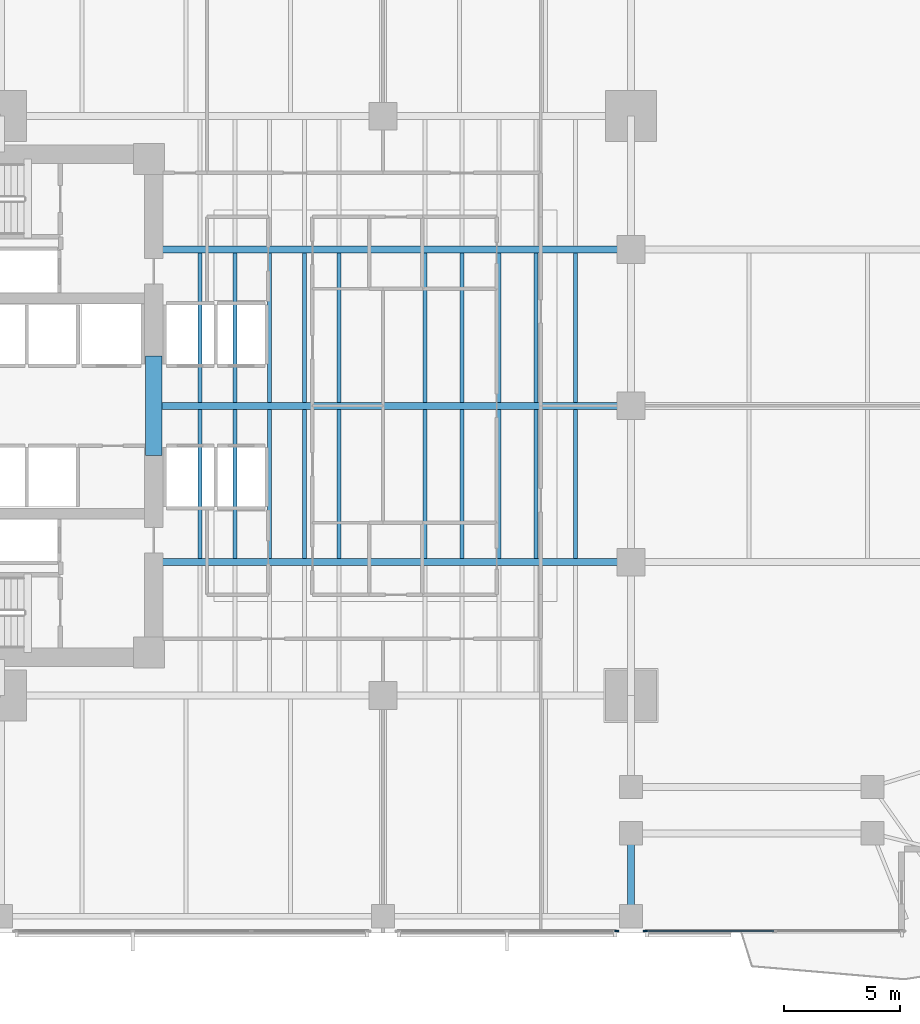
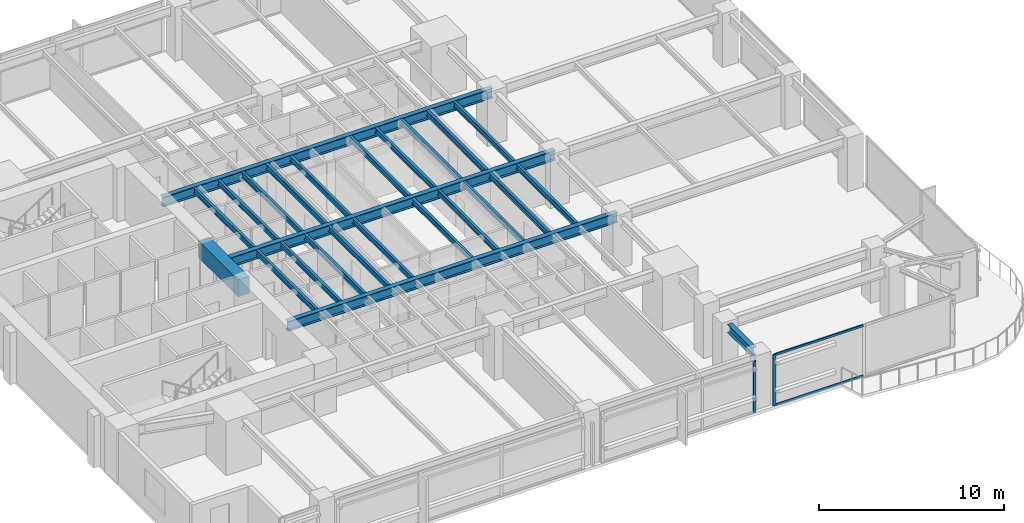
# One storey, part 3 of 15: 25 beams, 4 members, 2 elements without a shape of their own.
"""IFC4 building model written with IfcOpenShell, lengths in metres."""

from ifc_helpers import new_model, si_unit, direction, frame, origin, origin_2d, place, context, subcontext, project, spatial, rectangle, i_section, extrude, material, layer, layer_set, material_profile, profile_set, type_object, element, aggregate, save


model = new_model("IFC4")

# Units and contexts
model_context = context("Model", 3, precision=1e-05, world=origin(), true_north=direction((0.0, 1.0)))
body_context = subcontext(model_context, "Body", "Model", "MODEL_VIEW")
ifc_project = project(units=[si_unit("LENGTHUNIT", "METRE"), si_unit("AREAUNIT", "SQUARE_METRE"), si_unit("VOLUMEUNIT", "CUBIC_METRE"), si_unit("PLANEANGLEUNIT", "RADIAN"), si_unit("MASSUNIT", "GRAM", prefix="KILO")], contexts=[model_context])

# Site, building, storey
site_placement = place(None, origin())
site = spatial("IfcSite", under=ifc_project, at=site_placement, CompositionType="ELEMENT")
building_placement = place(site_placement, origin())
building = spatial("IfcBuilding", under=site, at=building_placement, Name="Kinhvarn Gate Tower", CompositionType="ELEMENT")
storey_placement = place(building_placement, frame((0.0, 0.0, 43.35009765625)))
storey = spatial("IfcBuildingStorey", under=building, at=storey_placement, Name="L10", CompositionType="ELEMENT", Elevation=43.35009765625)

# Beam
ifc_material_1 = material(Name="Concrete C70/85", Category="concrete")
ifc_material_profile_1 = material_profile(ifc_material_1, rectangle(XDim=0.699951171875, YDim=1.10009765625, at=origin_2d()), Name="RC 700x1100")
ifc_profile_set_1 = profile_set([ifc_material_profile_1], Name="Concrete C70/85")
beam_type_1 = type_object("IfcBeamType", Name="BM-CB-1100", PredefinedType="LINTEL", material=ifc_profile_set_1)
beam_1_placement = place(storey_placement, frame((17.60009765625, 23.10009765625, 2.81982421875), z_axis=(0.0, 1.0, 0.0), x_axis=(-1.0, 0.0, 0.0)))
element("IfcBeam", 1, at=beam_1_placement, inside=storey, type_object=beam_type_1, Name="Core East Portal Coupling Beam L10", PredefinedType="LINTEL", context=body_context, shape_type="SweptSolid", body=[
    extrude(rectangle(XDim=0.699951171875, YDim=1.10009765625, at=origin_2d()), origin(), (0.0, 0.0, 1.0), 4.2998046875),
])

# Curtain wall, member
ifc_material_2 = material(Name="Anodised aluminium AW-6063", Category="aluminium")
ifc_layer = layer(ifc_material_2, 0.179931640625)
ifc_layer_set = layer_set([ifc_layer], Name="Anodised aluminium AW-6063")
curtain_wall_type = type_object("IfcCurtainWallType", Name="CW-SYS-2", PredefinedType="NOTDEFINED", material=ifc_layer_set)
curtain_wall_1_placement = place(storey_placement, origin())
curtain_wall_1 = element("IfcCurtainWall", 2, at=curtain_wall_1_placement, inside=storey, type_object=curtain_wall_type, Name="Curtain Wall CW2 (L10)", PredefinedType="NOTDEFINED")
ifc_material_profile_2 = material_profile(ifc_material_2, rectangle(XDim=0.070068359375, YDim=0.179931640625, at=origin_2d()), Name="ALU 70x180")
ifc_profile_set_2 = profile_set([ifc_material_profile_2], Name="Anodised aluminium AW-6063")
member_type_1 = type_object("IfcMemberType", Name="CW-MUL-180", PredefinedType="MULLION", material=ifc_profile_set_2)
member_1_placement = place(storey_placement, frame((37.5849609375, 2.590087890625, 0.0), z_axis=(0.0, 0.0, 1.0), x_axis=(0.0, 1.0, 0.0)))
member_1 = element("IfcMember", 3, at=member_1_placement, type_object=member_type_1, Name="CW2 mullion 3", PredefinedType="MULLION", context=body_context, shape_type="SweptSolid", body=[
    extrude(rectangle(XDim=0.070068359375, YDim=0.179931640625, at=origin_2d()), origin(), (0.0, 0.0, 1.0), 3.369873046875),
])
aggregate(curtain_wall_1, [member_1])

# Curtain wall, members
curtain_wall_2_placement = place(storey_placement, origin())
curtain_wall_2 = element("IfcCurtainWall", 4, at=curtain_wall_2_placement, inside=storey, type_object=curtain_wall_type, Name="Curtain Wall CW2 (L10)", PredefinedType="NOTDEFINED")
member_2_placement = place(storey_placement, frame((38.81494140625, 2.590087890625, 0.0), z_axis=(0.0, 0.0, 1.0), x_axis=(0.0, 1.0, 0.0)))
member_2 = element("IfcMember", 5, at=member_2_placement, type_object=member_type_1, Name="CW2 mullion 1", PredefinedType="MULLION", context=body_context, shape_type="SweptSolid", body=[
    extrude(rectangle(XDim=0.070068359375, YDim=0.179931640625, at=origin_2d()), origin(), (0.0, 0.0, 1.0), 3.369873046875),
])
ifc_material_profile_3 = material_profile(ifc_material_2, rectangle(XDim=0.070068359375, YDim=0.139892578125, at=origin_2d()), Name="ALU 70x140")
ifc_profile_set_3 = profile_set([ifc_material_profile_3], Name="Anodised aluminium AW-6063")
member_type_2 = type_object("IfcMemberType", Name="CW-TRN-140", PredefinedType="USERDEFINED", material=ifc_profile_set_3)
member_3_placement = place(storey_placement, frame((38.85009765625, 2.590087890625, 0.034912109375), z_axis=(1.0, 0.0, 0.0), x_axis=(0.0, 1.0, 0.0)))
member_3 = element("IfcMember", 6, at=member_3_placement, type_object=member_type_2, Name="CW2 transom 1.1", ObjectType="TRANSOM", PredefinedType="USERDEFINED", context=body_context, shape_type="SweptSolid", body=[
    extrude(rectangle(XDim=0.070068359375, YDim=0.139892578125, at=origin_2d()), origin(), (0.0, 0.0, 1.0), 5.5048828125),
])
member_4_placement = place(storey_placement, frame((38.85009765625, 2.590087890625, 3.3349609375), z_axis=(1.0, 0.0, 0.0), x_axis=(0.0, 1.0, 0.0)))
member_4 = element("IfcMember", 7, at=member_4_placement, type_object=member_type_2, Name="CW2 transom 1.2", ObjectType="TRANSOM", PredefinedType="USERDEFINED", context=body_context, shape_type="SweptSolid", body=[
    extrude(rectangle(XDim=0.070068359375, YDim=0.139892578125, at=origin_2d()), origin(), (0.0, 0.0, 1.0), 5.5048828125),
])
aggregate(curtain_wall_2, [member_2, member_3, member_4])

# Beams
ifc_material_3 = material(Name="Steel S355", Category="steel")
ifc_material_profile_4 = material_profile(ifc_material_3, i_section(OverallWidth=0.300048828125, OverallDepth=0.550048828125, WebThickness=0.014892578125, FlangeThickness=0.029052734375, at=origin_2d()), Name="HEB 550")
ifc_profile_set_4 = profile_set([ifc_material_profile_4], Name="Steel S355")
beam_type_2 = type_object("IfcBeamType", Name="STL-HEB550", PredefinedType="BEAM", material=ifc_profile_set_4)
beam_2_placement = place(storey_placement, frame((38.199951171875, 3.705078125, 3.094970703125), z_axis=(0.0, 1.0, 0.0), x_axis=(-1.0, 0.0, 0.0)))
element("IfcBeam", 8, at=beam_2_placement, inside=storey, type_object=beam_type_2, Name="Floor Beam PG-15 (L10 MCE-S-A0)", PredefinedType="BEAM", context=body_context, shape_type="SweptSolid", body=[
    extrude(i_section(OverallWidth=0.300048828125, OverallDepth=0.550048828125, WebThickness=0.014892578125, FlangeThickness=0.029052734375, at=origin_2d()), origin(), (0.0, 0.0, 1.0), 2.60986328125),
])
ifc_material_profile_5 = material_profile(ifc_material_3, i_section(OverallWidth=0.300048828125, OverallDepth=0.64990234375, WebThickness=0.01611328125, FlangeThickness=0.031005859375, at=origin_2d()), Name="HEB 650")
ifc_profile_set_5 = profile_set([ifc_material_profile_5], Name="Steel S355")
beam_type_3 = type_object("IfcBeamType", Name="STL-HEB650", PredefinedType="BEAM", material=ifc_profile_set_5)
beam_3_placement = place(storey_placement, frame((17.64990234375, 18.5, 3.044921875), z_axis=(1.0, 0.0, 0.0), x_axis=(0.0, 1.0, 0.0)))
element("IfcBeam", 9, at=beam_3_placement, inside=storey, type_object=beam_type_3, Name="Floor Beam PG-17 (L10 EW1-Y18)", PredefinedType="BEAM", context=body_context, shape_type="SweptSolid", body=[
    extrude(i_section(OverallWidth=0.300048828125, OverallDepth=0.64990234375, WebThickness=0.01611328125, FlangeThickness=0.031005859375, at=origin_2d()), origin(), (0.0, 0.0, 1.0), 20.550048828125),
])
beam_4_placement = place(storey_placement, frame((17.949951171875, 25.25, 3.044921875), z_axis=(1.0, 0.0, 0.0), x_axis=(0.0, 1.0, 0.0)))
element("IfcBeam", 10, at=beam_4_placement, inside=storey, type_object=beam_type_3, Name="Floor Beam PG-17 (L10 EW1-Y25)", PredefinedType="BEAM", context=body_context, shape_type="SweptSolid", body=[
    extrude(i_section(OverallWidth=0.300048828125, OverallDepth=0.64990234375, WebThickness=0.01611328125, FlangeThickness=0.031005859375, at=origin_2d()), origin(), (0.0, 0.0, 1.0), 20.25),
])
beam_5_placement = place(storey_placement, frame((17.64990234375, 32.0, 3.044921875), z_axis=(1.0, 0.0, 0.0), x_axis=(0.0, 1.0, 0.0)))
element("IfcBeam", 11, at=beam_5_placement, inside=storey, type_object=beam_type_3, Name="Floor Beam PG-17 (L10 EW1-Y32)", PredefinedType="BEAM", context=body_context, shape_type="SweptSolid", body=[
    extrude(i_section(OverallWidth=0.300048828125, OverallDepth=0.64990234375, WebThickness=0.01611328125, FlangeThickness=0.031005859375, at=origin_2d()), origin(), (0.0, 0.0, 1.0), 20.550048828125),
])
ifc_material_profile_6 = material_profile(ifc_material_3, i_section(OverallWidth=0.169921875, OverallDepth=0.360107421875, WebThickness=0.008056640625, FlangeThickness=0.0126953125, at=origin_2d()), Name="IPE 360")
ifc_profile_set_6 = profile_set([ifc_material_profile_6], Name="Steel S355")
beam_type_4 = type_object("IfcBeamType", Name="STL-IPE360", PredefinedType="JOIST", material=ifc_profile_set_6)
for number, where, z_axis, x_axis, name in (
    (12, (19.60009765625, 18.64990234375, 3.18994140625), (0.0, 1.0, 0.0), (-1.0, 0.0, 0.0), "Floor Joist SB-04 (L10 JC-X196-1)"),
    (13, (19.60009765625, 25.39990234375, 3.18994140625), (0.0, 1.0, 0.0), (-1.0, 0.0, 0.0), "Floor Joist SB-04 (L10 JC-X196-2)"),
    (14, (21.10009765625, 18.64990234375, 3.18994140625), (0.0, 1.0, 0.0), (-1.0, 0.0, 0.0), "Floor Joist SB-04 (L10 JC-X211-1)"),
    (15, (21.10009765625, 25.39990234375, 3.18994140625), (0.0, 1.0, 0.0), (-1.0, 0.0, 0.0), "Floor Joist SB-04 (L10 JC-X211-2)"),
    (16, (22.60009765625, 18.64990234375, 3.18994140625), (0.0, 1.0, 0.0), (-1.0, 0.0, 0.0), "Floor Joist SB-04 (L10 JC-X226-1)"),
    (17, (22.60009765625, 25.39990234375, 3.18994140625), (0.0, 1.0, 0.0), (-1.0, 0.0, 0.0), "Floor Joist SB-04 (L10 JC-X226-2)"),
    (18, (24.10009765625, 18.64990234375, 3.18994140625), (0.0, 1.0, 0.0), (-1.0, 0.0, 0.0), "Floor Joist SB-04 (L10 JC-X241-1)"),
    (19, (24.10009765625, 25.39990234375, 3.18994140625), (0.0, 1.0, 0.0), (-1.0, 0.0, 0.0), "Floor Joist SB-04 (L10 JC-X241-2)"),
    (20, (25.60009765625, 18.64990234375, 3.18994140625), (0.0, 1.0, 0.0), (-1.0, 0.0, 0.0), "Floor Joist SB-04 (L10 JC-X256-1)"),
    (21, (25.60009765625, 25.39990234375, 3.18994140625), (0.0, 1.0, 0.0), (-1.0, 0.0, 0.0), "Floor Joist SB-04 (L10 JC-X256-2)"),
    (22, (29.300048828125, 18.64990234375, 3.18994140625), (0.0, 1.0, 0.0), (-1.0, 0.0, 0.0), "Floor Joist SB-04 (L10 JC-X293-1)"),
    (23, (29.300048828125, 25.39990234375, 3.18994140625), (0.0, 1.0, 0.0), (-1.0, 0.0, 0.0), "Floor Joist SB-04 (L10 JC-X293-2)"),
    (24, (30.89990234375, 18.64990234375, 3.18994140625), (0.0, 1.0, 0.0), (-1.0, 0.0, 0.0), "Floor Joist SB-04 (L10 JC-X309-1)"),
    (25, (30.89990234375, 25.39990234375, 3.18994140625), (0.0, 1.0, 0.0), (-1.0, 0.0, 0.0), "Floor Joist SB-04 (L10 JC-X309-2)"),
    (26, (32.5, 18.64990234375, 3.18994140625), (0.0, 1.0, 0.0), (-1.0, 0.0, 0.0), "Floor Joist SB-04 (L10 JC-X325-1)"),
    (27, (32.5, 25.39990234375, 3.18994140625), (0.0, 1.0, 0.0), (-1.0, 0.0, 0.0), "Floor Joist SB-04 (L10 JC-X325-2)"),
    (28, (34.10009765625, 18.64990234375, 3.18994140625), (0.0, 1.0, 0.0), (-1.0, 0.0, 0.0), "Floor Joist SB-04 (L10 JC-X341-1)"),
    (29, (34.10009765625, 25.39990234375, 3.18994140625), (0.0, 1.0, 0.0), (-1.0, 0.0, 0.0), "Floor Joist SB-04 (L10 JC-X341-2)"),
    (30, (35.800048828125, 18.64990234375, 3.18994140625), (0.0, 1.0, 0.0), (-1.0, 0.0, 0.0), "Floor Joist SB-04 (L10 JC-X358-1)"),
    (31, (35.800048828125, 25.39990234375, 3.18994140625), (0.0, 1.0, 0.0), (-1.0, 0.0, 0.0), "Floor Joist SB-04 (L10 JC-X358-2)"),
):
    element("IfcBeam", number, at=place(storey_placement, frame(where, z_axis=z_axis, x_axis=x_axis)), inside=storey, type_object=beam_type_4, Name=name, PredefinedType="JOIST", context=body_context, shape_type="SweptSolid", body=[
        extrude(i_section(OverallWidth=0.169921875, OverallDepth=0.360107421875, WebThickness=0.008056640625, FlangeThickness=0.0126953125, at=origin_2d()), origin(), (0.0, 0.0, 1.0), 6.4501953125),
    ])

save(model, "model.ifc")
